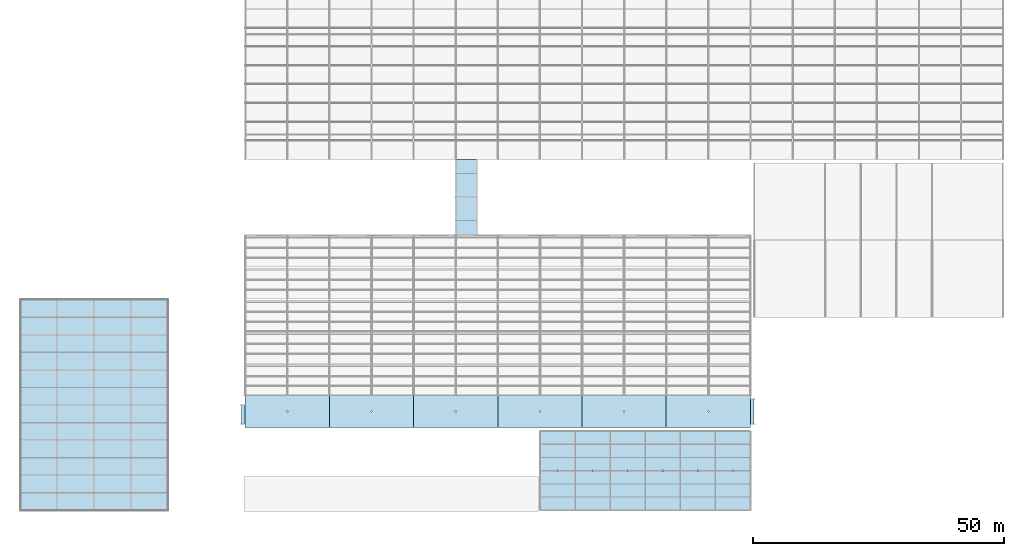
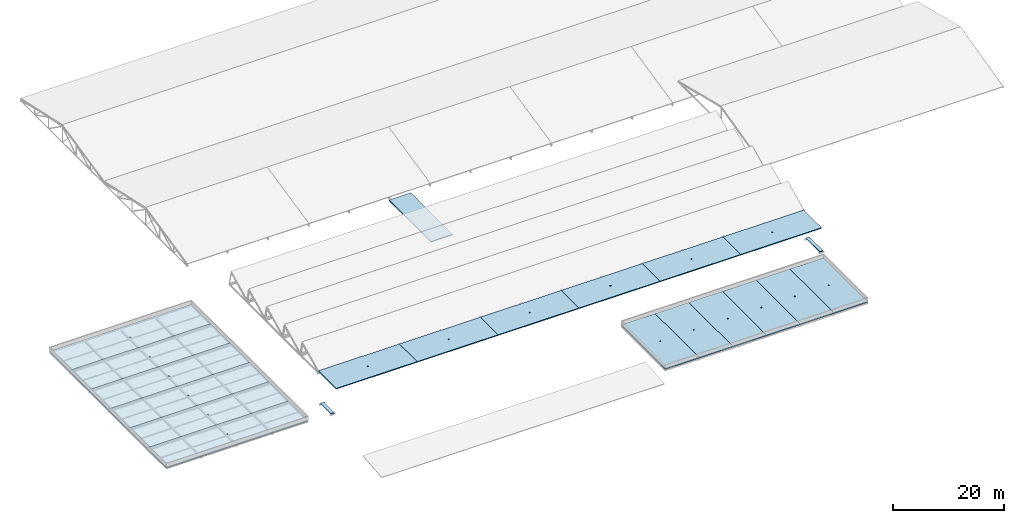
# One storey, part 155 of 194: 21 slabs.
"""IFC4 building model written with IfcOpenShell, lengths in metres."""

from ifc_helpers import new_model, si_unit, direction, frame, origin, place, context, subcontext, project, spatial, polyline, outline, extrude, material, layer, layer_set, type_object, element, save


model = new_model("IFC4")

# Units and contexts
model_context = context("Model", 3, precision=1e-05, world=origin(), true_north=direction((0.0, 1.0)))
body_context = subcontext(model_context, "Body", "Model", "MODEL_VIEW")
ifc_project = project(units=[si_unit("LENGTHUNIT", "METRE"), si_unit("AREAUNIT", "SQUARE_METRE"), si_unit("VOLUMEUNIT", "CUBIC_METRE"), si_unit("PLANEANGLEUNIT", "RADIAN"), si_unit("MASSUNIT", "GRAM", prefix="KILO")], contexts=[model_context])

# Site, building, storey
site_placement = place(None, origin())
site = spatial("IfcSite", under=ifc_project, at=site_placement, CompositionType="ELEMENT")
building_placement = place(site_placement, origin())
building = spatial("IfcBuilding", under=site, at=building_placement, Name="Kazenagashi Tramway Depot", CompositionType="ELEMENT")
storey_placement = place(building_placement, frame((0.0, 0.0, 23.7)))
storey = spatial("IfcBuildingStorey", under=building, at=storey_placement, Name="ROOF", CompositionType="ELEMENT", Elevation=23.7)

# Slabs
ifc_material = material(Name="Concrete Fc36", Category="concrete")
ifc_layer_1 = layer(ifc_material, 0.22)
ifc_layer_set_1 = layer_set([ifc_layer_1], Name="Concrete Fc36")
slab_type_1 = type_object("IfcSlabType", Name="SL-RF1", PredefinedType="ROOF", material=ifc_layer_set_1)
slab_1_placement = place(storey_placement, frame((0.0, 0.0, -0.22)))
element("IfcSlab", 1, at=slab_1_placement, inside=storey, type_object=slab_type_1, Name="V4 Top Roof Slab 1 SLAB-104", PredefinedType="ROOF", context=body_context, shape_type="SweptSolid", body=[
    extrude(outline(polyline([(0.0, 0.0), (29.4, 0.0), (29.4, 7.0), (0.0, 7.0), (0.0, 0.0)]), holes=[polyline([(14.58, 3.38), (14.82, 3.38), (14.82, 3.62), (14.58, 3.62), (14.58, 3.38)])]), origin(), (0.0, 0.0, 1.0), 0.22),
])
slab_2_placement = place(storey_placement, frame((0.0, 0.0, -0.22)))
element("IfcSlab", 2, at=slab_2_placement, inside=storey, type_object=slab_type_1, Name="V4 Top Roof Slab 2 SLAB-105", PredefinedType="ROOF", context=body_context, shape_type="SweptSolid", body=[
    extrude(outline(polyline([(0.0, 7.0), (29.4, 7.0), (29.4, 14.0), (0.0, 14.0), (0.0, 7.0)]), holes=[polyline([(14.58, 10.38), (14.82, 10.38), (14.82, 10.62), (14.58, 10.62), (14.58, 10.38)])]), origin(), (0.0, 0.0, 1.0), 0.22),
])
slab_3_placement = place(storey_placement, frame((0.0, 0.0, -0.22)))
element("IfcSlab", 3, at=slab_3_placement, inside=storey, type_object=slab_type_1, Name="V4 Top Roof Slab 3 SLAB-106", PredefinedType="ROOF", context=body_context, shape_type="SweptSolid", body=[
    extrude(outline(polyline([(0.0, 14.0), (29.4, 14.0), (29.4, 21.0), (0.0, 21.0), (0.0, 14.0)]), holes=[polyline([(14.58, 17.38), (14.82, 17.38), (14.82, 17.62), (14.58, 17.62), (14.58, 17.38)])]), origin(), (0.0, 0.0, 1.0), 0.22),
])
slab_4_placement = place(storey_placement, frame((0.0, 0.0, -0.22)))
element("IfcSlab", 4, at=slab_4_placement, inside=storey, type_object=slab_type_1, Name="V4 Top Roof Slab 4 SLAB-107", PredefinedType="ROOF", context=body_context, shape_type="SweptSolid", body=[
    extrude(outline(polyline([(0.0, 21.0), (29.4, 21.0), (29.4, 28.0), (0.0, 28.0), (0.0, 21.0)]), holes=[polyline([(14.58, 24.38), (14.82, 24.38), (14.82, 24.62), (14.58, 24.62), (14.58, 24.38)])]), origin(), (0.0, 0.0, 1.0), 0.22),
])
slab_5_placement = place(storey_placement, frame((0.0, 0.0, -0.22)))
element("IfcSlab", 5, at=slab_5_placement, inside=storey, type_object=slab_type_1, Name="V4 Top Roof Slab 5 SLAB-108", PredefinedType="ROOF", context=body_context, shape_type="SweptSolid", body=[
    extrude(outline(polyline([(0.0, 28.0), (29.4, 28.0), (29.4, 35.0), (0.0, 35.0), (0.0, 28.0)]), holes=[polyline([(14.58, 31.38), (14.82, 31.38), (14.82, 31.62), (14.58, 31.62), (14.58, 31.38)])]), origin(), (0.0, 0.0, 1.0), 0.22),
])
slab_6_placement = place(storey_placement, frame((0.0, 0.0, -0.22)))
element("IfcSlab", 6, at=slab_6_placement, inside=storey, type_object=slab_type_1, Name="V4 Top Roof Slab 6 SLAB-109", PredefinedType="ROOF", context=body_context, shape_type="SweptSolid", body=[
    extrude(outline(polyline([(0.0, 35.0), (29.4, 35.0), (29.4, 42.0), (0.0, 42.0), (0.0, 35.0)]), holes=[polyline([(14.58, 38.38), (14.82, 38.38), (14.82, 38.62), (14.58, 38.62), (14.58, 38.38)])]), origin(), (0.0, 0.0, 1.0), 0.22),
])
ifc_layer_2 = layer(ifc_material, 0.2)
ifc_layer_set_2 = layer_set([ifc_layer_2], Name="Concrete Fc36")
slab_type_2 = type_object("IfcSlabType", Name="SL-RF2", PredefinedType="ROOF", material=ifc_layer_set_2)
slab_7_placement = place(storey_placement, frame((0.0, 0.0, -14.8)))
element("IfcSlab", 7, at=slab_7_placement, inside=storey, type_object=slab_type_2, Name="V5 Sedum Roof Slab 1 SLAB-110", PredefinedType="ROOF", context=body_context, shape_type="SweptSolid", body=[
    extrude(outline(polyline([(103.6, 0.0), (110.6, 0.0), (110.6, 15.8), (103.6, 15.8), (103.6, 0.0)]), holes=[polyline([(106.98, 7.78), (107.22, 7.78), (107.22, 8.02), (106.98, 8.02), (106.98, 7.78)])]), origin(), (0.0, 0.0, 1.0), 0.2),
])
slab_8_placement = place(storey_placement, frame((0.0, 0.0, -14.8)))
element("IfcSlab", 8, at=slab_8_placement, inside=storey, type_object=slab_type_2, Name="V5 Sedum Roof Slab 2 SLAB-111", PredefinedType="ROOF", context=body_context, shape_type="SweptSolid", body=[
    extrude(outline(polyline([(110.6, 0.0), (117.6, 0.0), (117.6, 15.8), (110.6, 15.8), (110.6, 0.0)]), holes=[polyline([(113.98, 7.78), (114.22, 7.78), (114.22, 8.02), (113.98, 8.02), (113.98, 7.78)])]), origin(), (0.0, 0.0, 1.0), 0.2),
])
slab_9_placement = place(storey_placement, frame((0.0, 0.0, -14.8)))
element("IfcSlab", 9, at=slab_9_placement, inside=storey, type_object=slab_type_2, Name="V5 Sedum Roof Slab 3 SLAB-112", PredefinedType="ROOF", context=body_context, shape_type="SweptSolid", body=[
    extrude(outline(polyline([(117.6, 0.0), (124.6, 0.0), (124.6, 15.8), (117.6, 15.8), (117.6, 0.0)]), holes=[polyline([(120.98, 7.78), (121.22, 7.78), (121.22, 8.02), (120.98, 8.02), (120.98, 7.78)])]), origin(), (0.0, 0.0, 1.0), 0.2),
])
slab_10_placement = place(storey_placement, frame((0.0, 0.0, -14.8)))
element("IfcSlab", 10, at=slab_10_placement, inside=storey, type_object=slab_type_2, Name="V5 Sedum Roof Slab 4 SLAB-113", PredefinedType="ROOF", context=body_context, shape_type="SweptSolid", body=[
    extrude(outline(polyline([(124.6, 0.0), (131.6, 0.0), (131.6, 15.8), (124.6, 15.8), (124.6, 0.0)]), holes=[polyline([(127.98, 7.78), (128.22, 7.78), (128.22, 8.02), (127.98, 8.02), (127.98, 7.78)])]), origin(), (0.0, 0.0, 1.0), 0.2),
])
slab_11_placement = place(storey_placement, frame((0.0, 0.0, -14.8)))
element("IfcSlab", 11, at=slab_11_placement, inside=storey, type_object=slab_type_2, Name="V5 Sedum Roof Slab 5 SLAB-114", PredefinedType="ROOF", context=body_context, shape_type="SweptSolid", body=[
    extrude(outline(polyline([(131.6, 0.0), (138.6, 0.0), (138.6, 15.8), (131.6, 15.8), (131.6, 0.0)]), holes=[polyline([(134.98, 7.78), (135.22, 7.78), (135.22, 8.02), (134.98, 8.02), (134.98, 7.78)])]), origin(), (0.0, 0.0, 1.0), 0.2),
])
slab_12_placement = place(storey_placement, frame((0.0, 0.0, -14.8)))
element("IfcSlab", 12, at=slab_12_placement, inside=storey, type_object=slab_type_2, Name="V5 Sedum Roof Slab 6 SLAB-115", PredefinedType="ROOF", context=body_context, shape_type="SweptSolid", body=[
    extrude(outline(polyline([(138.6, 0.0), (145.6, 0.0), (145.6, 15.8), (138.6, 15.8), (138.6, 0.0)]), holes=[polyline([(141.98, 7.78), (142.22, 7.78), (142.22, 8.02), (141.98, 8.02), (141.98, 7.78)])]), origin(), (0.0, 0.0, 1.0), 0.2),
])
slab_13_placement = place(storey_placement, frame((0.0, 0.0, -8.6)))
element("IfcSlab", 13, at=slab_13_placement, inside=storey, type_object=slab_type_2, Name="V2 Viewing Gallery Roof Slab 1 SLAB-116", PredefinedType="ROOF", context=body_context, shape_type="SweptSolid", body=[
    extrude(outline(polyline([(44.8, 16.5), (61.6, 16.5), (61.6, 22.9), (44.8, 22.9), (44.8, 16.5)]), holes=[polyline([(53.08, 19.58), (53.32, 19.58), (53.32, 19.82), (53.08, 19.82), (53.08, 19.58)])]), origin(), (0.0, 0.0, 1.0), 0.2),
])
slab_14_placement = place(storey_placement, frame((0.0, 0.0, -8.6)))
element("IfcSlab", 14, at=slab_14_placement, inside=storey, type_object=slab_type_2, Name="V2 Viewing Gallery Roof Slab 2 SLAB-117", PredefinedType="ROOF", context=body_context, shape_type="SweptSolid", body=[
    extrude(outline(polyline([(61.6, 16.5), (78.4, 16.5), (78.4, 22.9), (61.6, 22.9), (61.6, 16.5)]), holes=[polyline([(69.88, 19.58), (70.12, 19.58), (70.12, 19.82), (69.88, 19.82), (69.88, 19.58)])]), origin(), (0.0, 0.0, 1.0), 0.2),
])
slab_15_placement = place(storey_placement, frame((0.0, 0.0, -8.6)))
element("IfcSlab", 15, at=slab_15_placement, inside=storey, type_object=slab_type_2, Name="V2 Viewing Gallery Roof Slab 3 SLAB-118", PredefinedType="ROOF", context=body_context, shape_type="SweptSolid", body=[
    extrude(outline(polyline([(78.4, 16.5), (95.2, 16.5), (95.2, 22.9), (78.4, 22.9), (78.4, 16.5)]), holes=[polyline([(86.68, 19.58), (86.92, 19.58), (86.92, 19.82), (86.68, 19.82), (86.68, 19.58)])]), origin(), (0.0, 0.0, 1.0), 0.2),
])
slab_16_placement = place(storey_placement, frame((0.0, 0.0, -8.6)))
element("IfcSlab", 16, at=slab_16_placement, inside=storey, type_object=slab_type_2, Name="V2 Viewing Gallery Roof Slab 4 SLAB-119", PredefinedType="ROOF", context=body_context, shape_type="SweptSolid", body=[
    extrude(outline(polyline([(95.2, 16.5), (112.0, 16.5), (112.0, 22.9), (95.2, 22.9), (95.2, 16.5)]), holes=[polyline([(103.48, 19.58), (103.72, 19.58), (103.72, 19.82), (103.48, 19.82), (103.48, 19.58)])]), origin(), (0.0, 0.0, 1.0), 0.2),
])
slab_17_placement = place(storey_placement, frame((0.0, 0.0, -8.6)))
element("IfcSlab", 17, at=slab_17_placement, inside=storey, type_object=slab_type_2, Name="V2 Viewing Gallery Roof Slab 5 SLAB-120", PredefinedType="ROOF", context=body_context, shape_type="SweptSolid", body=[
    extrude(outline(polyline([(112.0, 16.5), (128.8, 16.5), (128.8, 22.9), (112.0, 22.9), (112.0, 16.5)]), holes=[polyline([(120.28, 19.58), (120.52, 19.58), (120.52, 19.82), (120.28, 19.82), (120.28, 19.58)])]), origin(), (0.0, 0.0, 1.0), 0.2),
])
slab_18_placement = place(storey_placement, frame((0.0, 0.0, -8.6)))
element("IfcSlab", 18, at=slab_18_placement, inside=storey, type_object=slab_type_2, Name="V2 Viewing Gallery Roof Slab 6 SLAB-121", PredefinedType="ROOF", context=body_context, shape_type="SweptSolid", body=[
    extrude(outline(polyline([(128.8, 16.5), (145.6, 16.5), (145.6, 22.9), (128.8, 22.9), (128.8, 16.5)]), holes=[polyline([(137.08, 19.58), (137.32, 19.58), (137.32, 19.82), (137.08, 19.82), (137.08, 19.58)])]), origin(), (0.0, 0.0, 1.0), 0.2),
])
ifc_layer_3 = layer(ifc_material, 0.165)
ifc_layer_set_3 = layer_set([ifc_layer_3], Name="Concrete Fc36")
slab_type_3 = type_object("IfcSlabType", Name="SL-RF3", PredefinedType="ROOF", material=ifc_layer_set_3)
slab_19_placement = place(storey_placement, frame((0.0, 0.0, -14.265)))
element("IfcSlab", 19, at=slab_19_placement, inside=storey, type_object=slab_type_3, Name="West Operations-to-Overhaul Seismic Link Bridge BR1 Roof SLAB-077", PredefinedType="ROOF", context=body_context, shape_type="SweptSolid", body=[
    extrude(outline(polyline([(44.1, 17.2), (44.8, 17.2), (44.8, 21.0), (44.1, 21.0), (44.1, 17.2)])), origin(), (0.0, 0.0, 1.0), 0.165),
])
slab_20_placement = place(storey_placement, frame((0.0, 0.0, -14.265)))
element("IfcSlab", 20, at=slab_20_placement, inside=storey, type_object=slab_type_3, Name="Central Traverser Court Steel Warren Link Bridge BR2 Roof SLAB-079", PredefinedType="ROOF", context=body_context, shape_type="SweptSolid", body=[
    extrude(outline(polyline([(86.65, 54.9), (91.15, 54.9), (91.15, 70.0), (86.65, 70.0), (86.65, 54.9)])), origin(), (0.0, 0.0, 1.0), 0.165),
])
slab_21_placement = place(storey_placement, frame((0.0, 0.0, -14.265)))
element("IfcSlab", 21, at=slab_21_placement, inside=storey, type_object=slab_type_3, Name="East Overhaul-to-Charging-Deck Seismic Link Bridge BR3 Roof SLAB-081", PredefinedType="ROOF", context=body_context, shape_type="SweptSolid", body=[
    extrude(outline(polyline([(145.6, 17.2), (146.3, 17.2), (146.3, 22.2), (145.6, 22.2), (145.6, 17.2)])), origin(), (0.0, 0.0, 1.0), 0.165),
])

save(model, "model.ifc")
